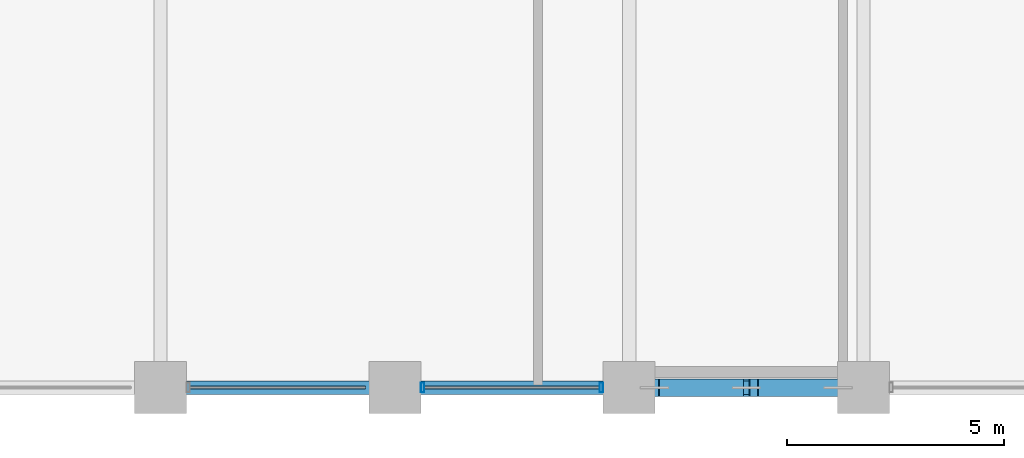
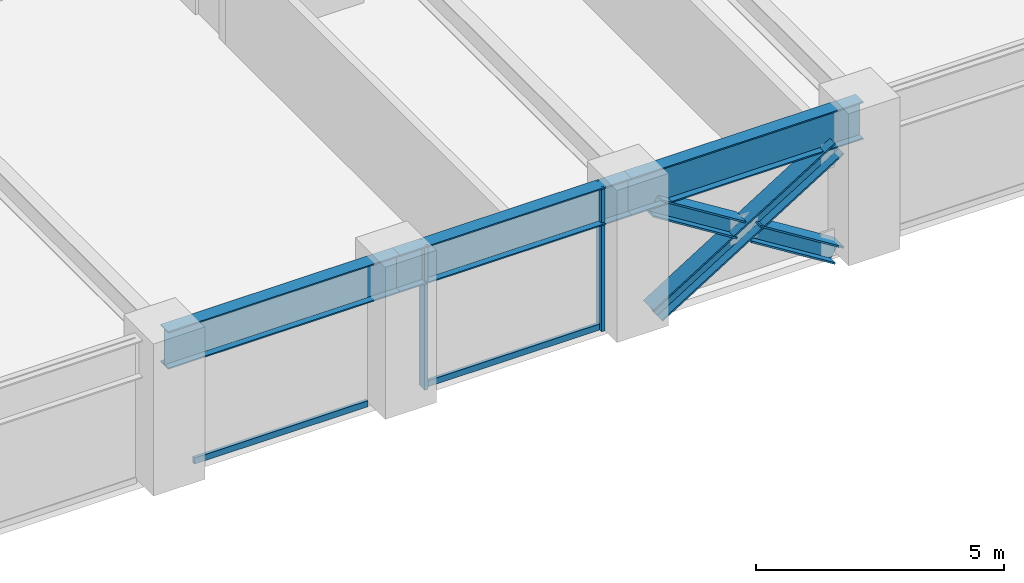
# One storey, part 3 of 28: 7 members, 3 beams, 1 element without a shape of its own.
"""IFC4 building model written with IfcOpenShell, lengths in metres."""

from ifc_helpers import new_model, si_unit, direction, frame, origin, origin_2d, place, context, subcontext, project, spatial, hollow_rectangle, i_section, extrude, material, layer, layer_set, material_profile, profile_set, type_object, element, aggregate, save


model = new_model("IFC4")

# Units and contexts
model_context = context("Model", 3, precision=1e-05, world=origin(), true_north=direction((0.0, 1.0)))
body_context = subcontext(model_context, "Body", "Model", "MODEL_VIEW")
ifc_project = project(units=[si_unit("LENGTHUNIT", "METRE"), si_unit("AREAUNIT", "SQUARE_METRE"), si_unit("VOLUMEUNIT", "CUBIC_METRE"), si_unit("PLANEANGLEUNIT", "RADIAN"), si_unit("MASSUNIT", "GRAM", prefix="KILO")], contexts=[model_context])

# Site, building, storey
site_placement = place(None, origin())
site = spatial("IfcSite", under=ifc_project, at=site_placement, CompositionType="ELEMENT")
building_placement = place(site_placement, origin())
building = spatial("IfcBuilding", under=site, at=building_placement, Name="Surkhivell Harbour Commons", CompositionType="ELEMENT")
storey_placement = place(building_placement, frame((0.0, 0.0, 63.75)))
storey = spatial("IfcBuildingStorey", under=building, at=storey_placement, Name="L16", CompositionType="ELEMENT", Elevation=63.75)

# Beams
ifc_material_1 = material(Name="Steel S460", Category="steel")
ifc_material_profile_1 = material_profile(ifc_material_1, i_section(OverallWidth=0.30810546875, OverallDepth=0.927001953125, WebThickness=0.01953125, FlangeThickness=0.031982421875, at=origin_2d()), Name="UB914x305x289")
ifc_profile_set_1 = profile_set([ifc_material_profile_1], Name="Steel S460")
beam_type = type_object("IfcBeamType", Name="BM-SPN-914B", PredefinedType="SPANDREL", material=ifc_profile_set_1)
beam_1_placement = place(storey_placement, frame((-21.60009765625, -25.89990234375, 3.1064453125), z_axis=(1.0, 0.0, 0.0), x_axis=(0.0, 1.0, 0.0)))
element("IfcBeam", 1, at=beam_1_placement, inside=storey, type_object=beam_type, Name="L16 Tube Spandrel (-21.6,-25.9)", PredefinedType="SPANDREL", context=body_context, shape_type="SweptSolid", body=[
    extrude(i_section(OverallWidth=0.30810546875, OverallDepth=0.927001953125, WebThickness=0.01953125, FlangeThickness=0.031982421875, at=origin_2d()), origin(), (0.0, 0.0, 1.0), 5.400146484375),
])
beam_2_placement = place(storey_placement, frame((-16.199951171875, -25.89990234375, 3.1064453125), z_axis=(1.0, 0.0, 0.0), x_axis=(0.0, 1.0, 0.0)))
element("IfcBeam", 2, at=beam_2_placement, inside=storey, type_object=beam_type, Name="L16 Tube Spandrel (-16.2,-25.9)", PredefinedType="SPANDREL", context=body_context, shape_type="SweptSolid", body=[
    extrude(i_section(OverallWidth=0.30810546875, OverallDepth=0.927001953125, WebThickness=0.01953125, FlangeThickness=0.031982421875, at=origin_2d()), origin(), (0.0, 0.0, 1.0), 5.39990234375),
])
beam_3_placement = place(storey_placement, frame((-10.800048828125, -25.89990234375, 3.1064453125), z_axis=(1.0, 0.0, 0.0), x_axis=(0.0, 1.0, 0.0)))
element("IfcBeam", 3, at=beam_3_placement, inside=storey, type_object=beam_type, Name="L16 Tube Spandrel (-10.8,-25.9)", PredefinedType="SPANDREL", context=body_context, shape_type="SweptSolid", body=[
    extrude(i_section(OverallWidth=0.30810546875, OverallDepth=0.927001953125, WebThickness=0.01953125, FlangeThickness=0.031982421875, at=origin_2d()), origin(), (0.0, 0.0, 1.0), 5.400146484375),
])

# Curtain wall, members
ifc_material_2 = material(Name="Anodised pale-metal aluminium and insulated glazing", Category="aluminium")
ifc_layer = layer(ifc_material_2, 0.219970703125)
ifc_layer_set = layer_set([ifc_layer], Name="Anodised pale-metal aluminium and insulated glazing")
curtain_wall_type = type_object("IfcCurtainWallType", Name="CW-SYS-Z1", PredefinedType="NOTDEFINED", material=ifc_layer_set)
curtain_wall_placement = place(storey_placement, origin())
curtain_wall = element("IfcCurtainWall", 4, at=curtain_wall_placement, inside=storey, type_object=curtain_wall_type, Name="L16 Curtain Wall CW-L16-E00S1", PredefinedType="NOTDEFINED")
ifc_material_3 = material(Name="Anodised pale-metal aluminium alloy 6063-T6", Category="aluminium")
ifc_material_profile_2 = material_profile(ifc_material_3, hollow_rectangle(XDim=0.074951171875, YDim=0.219970703125, WallThickness=0.00390625, at=origin_2d()), Name="ALU-MULL-75x220")
ifc_profile_set_2 = profile_set([ifc_material_profile_2], Name="Anodised pale-metal aluminium alloy 6063-T6")
member_type_1 = type_object("IfcMemberType", Name="CWM-220", PredefinedType="MULLION", material=ifc_profile_set_2)
member_1_placement = place(storey_placement, frame((-15.560546875, -25.89990234375, 0.0), z_axis=(0.0, 0.0, 1.0), x_axis=(1.0, 0.0, 0.0)))
member_1 = element("IfcMember", 5, at=member_1_placement, type_object=member_type_1, Name="CW-Z1 mullion 3", PredefinedType="MULLION", context=body_context, shape_type="SweptSolid", body=[
    extrude(hollow_rectangle(XDim=0.074951171875, YDim=0.219970703125, WallThickness=0.00390625, at=origin_2d()), origin(), (0.0, 0.0, 1.0), 3.570068359375),
])
member_2_placement = place(storey_placement, frame((-11.439453125, -25.89990234375, 0.0), z_axis=(0.0, 0.0, 1.0), x_axis=(1.0, 0.0, 0.0)))
member_2 = element("IfcMember", 6, at=member_2_placement, type_object=member_type_1, Name="CW-Z1 mullion 4", PredefinedType="MULLION", context=body_context, shape_type="SweptSolid", body=[
    extrude(hollow_rectangle(XDim=0.074951171875, YDim=0.219970703125, WallThickness=0.00390625, at=origin_2d()), origin(), (0.0, 0.0, 1.0), 3.570068359375),
])
ifc_material_profile_3 = material_profile(ifc_material_3, hollow_rectangle(XDim=0.074951171875, YDim=0.14990234375, WallThickness=0.00341796875, at=origin_2d()), Name="ALU-TRAN-75x150")
ifc_profile_set_3 = profile_set([ifc_material_profile_3], Name="Anodised pale-metal aluminium alloy 6063-T6")
member_type_2 = type_object("IfcMemberType", Name="CWT-150", PredefinedType="USERDEFINED", material=ifc_profile_set_3)
member_3_placement = place(storey_placement, frame((-20.923095703125, -25.89990234375, 0.074951171875), z_axis=(1.0, 0.0, 0.0), x_axis=(0.0, 1.0, 0.0)))
member_3 = element("IfcMember", 7, at=member_3_placement, type_object=member_type_2, Name="CW-Z1 transom 2.1", ObjectType="TRANSOM", PredefinedType="USERDEFINED", context=body_context, shape_type="SweptSolid", body=[
    extrude(hollow_rectangle(XDim=0.074951171875, YDim=0.14990234375, WallThickness=0.00341796875, at=origin_2d()), origin(), (0.0, 0.0, 1.0), 4.046142578125),
])
member_4_placement = place(storey_placement, frame((-15.52294921875, -25.89990234375, 0.074951171875), z_axis=(1.0, 0.0, 0.0), x_axis=(0.0, 1.0, 0.0)))
member_4 = element("IfcMember", 8, at=member_4_placement, type_object=member_type_2, Name="CW-Z1 transom 3.1", ObjectType="TRANSOM", PredefinedType="USERDEFINED", context=body_context, shape_type="SweptSolid", body=[
    extrude(hollow_rectangle(XDim=0.074951171875, YDim=0.14990234375, WallThickness=0.00341796875, at=origin_2d()), origin(), (0.0, 0.0, 1.0), 4.0458984375),
])
aggregate(curtain_wall, [member_3, member_1, member_2, member_4])

# Members
ifc_material_profile_4 = material_profile(ifc_material_1, i_section(OverallWidth=0.406005859375, OverallDepth=0.416015625, WebThickness=0.026611328125, FlangeThickness=0.0390625, at=origin_2d()), Name="HD400x382")
ifc_profile_set_4 = profile_set([ifc_material_profile_4], Name="Steel S460")
member_type_3 = type_object("IfcMemberType", Name="MEM-BRC-HD382", PredefinedType="BRACE", material=ifc_profile_set_4)
member_5_placement = place(storey_placement, frame((-10.215087890625, -25.89990234375, 0.008056640625), z_axis=(0.848432685315, 0.0, 0.529303295369), x_axis=(0.0, 1.0, 0.0)))
element("IfcMember", 9, at=member_5_placement, inside=storey, type_object=member_type_3, Name="L16 Perimeter Mega-Brace MB- 07", PredefinedType="BRACE", context=body_context, shape_type="SweptSolid", body=[
    extrude(i_section(OverallWidth=0.406005859375, OverallDepth=0.416015625, WebThickness=0.026611328125, FlangeThickness=0.0390625, at=origin_2d()), origin(), (0.0, 0.0, 1.0), 4.985595703125),
])
member_6_placement = place(storey_placement, frame((-5.985107421875, -25.89990234375, 0.008056640625), z_axis=(-0.848458555811, 0.0, 0.529261824688), x_axis=(0.0, -1.0, 0.0)))
element("IfcMember", 10, at=member_6_placement, inside=storey, type_object=member_type_3, Name="L16 Perimeter Mega-Brace MB- 08", PredefinedType="BRACE", context=body_context, shape_type="SweptSolid", body=[
    extrude(i_section(OverallWidth=0.406005859375, OverallDepth=0.416015625, WebThickness=0.026611328125, FlangeThickness=0.0390625, at=origin_2d()), origin(), (0.0, 0.0, 1.0), 2.29296875),
])
member_7_placement = place(storey_placement, frame((-8.269287109375, -25.89990234375, 1.43310546875), z_axis=(-0.84844057108, 0.0, 0.529290654882), x_axis=(0.0, -1.0, 0.0)))
element("IfcMember", 11, at=member_7_placement, inside=storey, type_object=member_type_3, Name="L16 Perimeter Mega-Brace MB- 09", PredefinedType="BRACE", context=body_context, shape_type="SweptSolid", body=[
    extrude(i_section(OverallWidth=0.406005859375, OverallDepth=0.416015625, WebThickness=0.026611328125, FlangeThickness=0.0390625, at=origin_2d()), origin(), (0.0, 0.0, 1.0), 2.29345703125),
])

save(model, "model.ifc")
